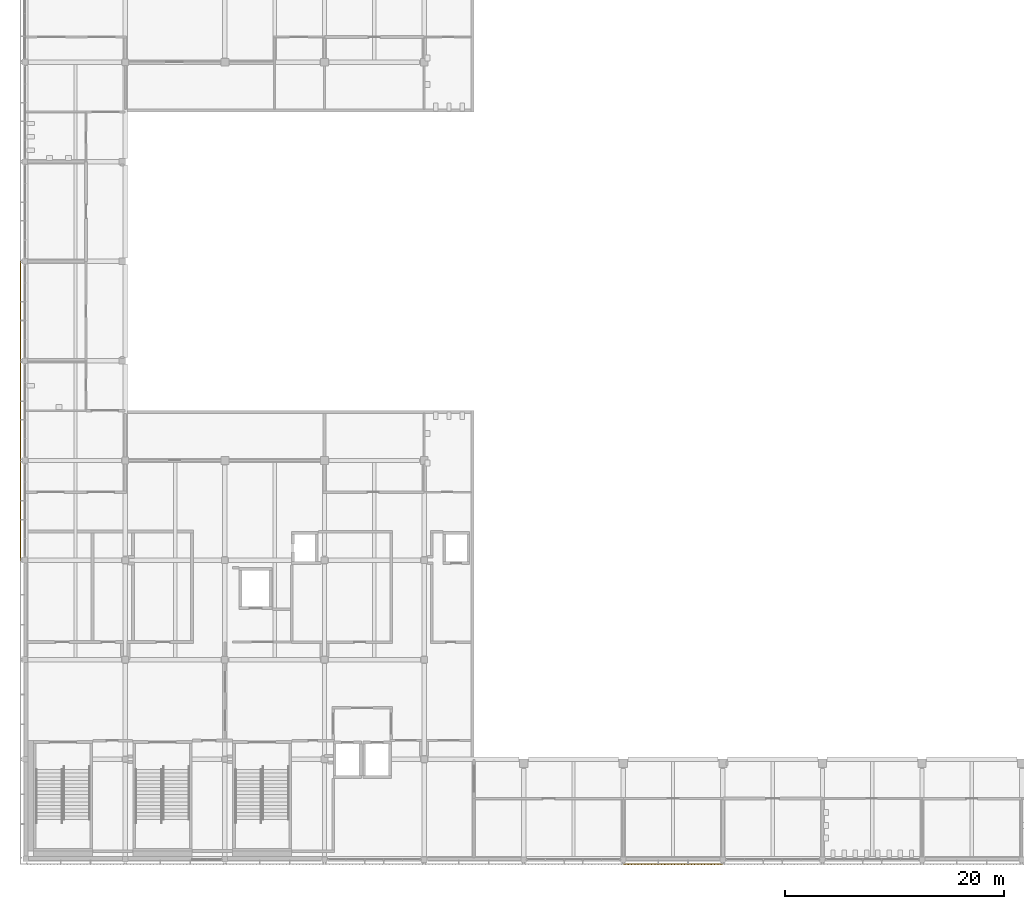
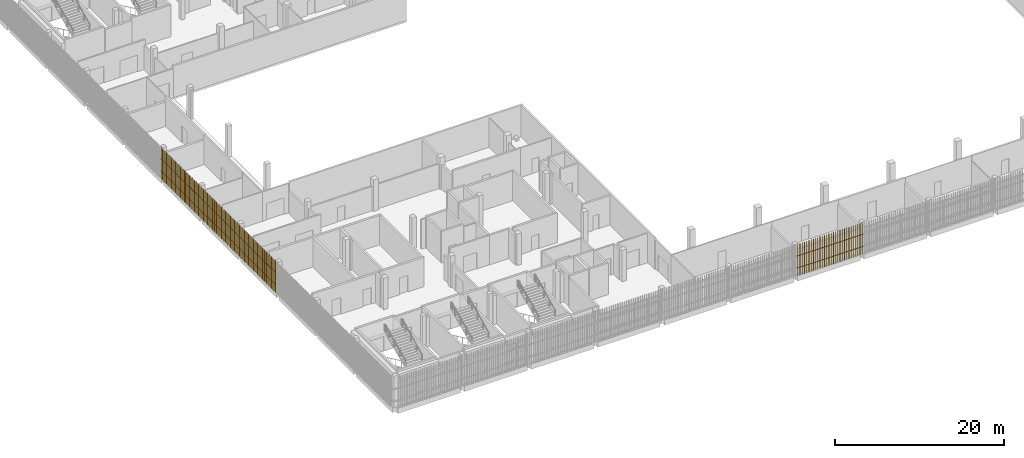
# One storey, part 106 of 124: 4 shading devices.
"""IFC4 building model written with IfcOpenShell, lengths in metres."""

from ifc_helpers import new_model, si_unit, direction, frame, origin, origin_2d, place, context, subcontext, project, spatial, rectangle, extrude, material, type_object, element, save


model = new_model("IFC4")

# Units and contexts
model_context = context("Model", 3, precision=1e-05, world=origin(), true_north=direction((0.0, 1.0)))
body_context = subcontext(model_context, "Body", "Model", "MODEL_VIEW")
ifc_project = project(units=[si_unit("LENGTHUNIT", "METRE"), si_unit("AREAUNIT", "SQUARE_METRE"), si_unit("VOLUMEUNIT", "CUBIC_METRE"), si_unit("PLANEANGLEUNIT", "RADIAN"), si_unit("MASSUNIT", "GRAM", prefix="KILO")], contexts=[model_context])

# Site, building, storey
site_placement = place(None, origin())
site = spatial("IfcSite", under=ifc_project, at=site_placement, CompositionType="ELEMENT")
building_placement = place(site_placement, origin())
building = spatial("IfcBuilding", under=site, at=building_placement, Name="Shirokan Park Arena", CompositionType="ELEMENT")
storey_placement = place(building_placement, frame((0.0, 0.0, 20.02001953125)))
storey = spatial("IfcBuildingStorey", under=building, at=storey_placement, Name="L04", CompositionType="ELEMENT", Elevation=20.02001953125)

# Shading devices
ifc_material = material(Name="Timber louvre veil (cedar)", Category="wood")
shading_device_type = type_object("IfcShadingDeviceType", Name="Timber louvre veil panel", PredefinedType="JALOUSIE", material=ifc_material)
shading_device_1_placement = place(storey_placement, origin())
element("IfcShadingDevice", 1, at=shading_device_1_placement, inside=storey, type_object=shading_device_type, Name="Timber louvre veil south bay 7 L04", PredefinedType="JALOUSIE", context=body_context, shape_type="SweptSolid", body=[
    extrude(rectangle(XDim=0.050048828125, YDim=0.080078125, at=origin_2d()), frame((54.751708984375, -0.485107421875, 0.0), z_axis=(0.0, 0.0, 1.0), x_axis=(1.0, 0.0, 0.0)), (0.0, 0.0, 1.0), 4.550048828125),
    extrude(rectangle(XDim=0.050048828125, YDim=0.080078125, at=origin_2d()), frame((55.054931640625, -0.485107421875, 0.0), z_axis=(0.0, 0.0, 1.0), x_axis=(1.0, 0.0, 0.0)), (0.0, 0.0, 1.0), 4.550048828125),
    extrude(rectangle(XDim=0.050048828125, YDim=0.080078125, at=origin_2d()), frame((55.3583984375, -0.485107421875, 0.0), z_axis=(0.0, 0.0, 1.0), x_axis=(1.0, 0.0, 0.0)), (0.0, 0.0, 1.0), 4.550048828125),
    extrude(rectangle(XDim=0.050048828125, YDim=0.080078125, at=origin_2d()), frame((55.66162109375, -0.485107421875, 0.0), z_axis=(0.0, 0.0, 1.0), x_axis=(1.0, 0.0, 0.0)), (0.0, 0.0, 1.0), 4.550048828125),
    extrude(rectangle(XDim=0.050048828125, YDim=0.080078125, at=origin_2d()), frame((55.965087890625, -0.485107421875, 0.0), z_axis=(0.0, 0.0, 1.0), x_axis=(1.0, 0.0, 0.0)), (0.0, 0.0, 1.0), 4.550048828125),
    extrude(rectangle(XDim=0.050048828125, YDim=0.080078125, at=origin_2d()), frame((56.268310546875, -0.485107421875, 0.0), z_axis=(0.0, 0.0, 1.0), x_axis=(1.0, 0.0, 0.0)), (0.0, 0.0, 1.0), 4.550048828125),
    extrude(rectangle(XDim=0.050048828125, YDim=0.080078125, at=origin_2d()), frame((56.57177734375, -0.485107421875, 0.0), z_axis=(0.0, 0.0, 1.0), x_axis=(1.0, 0.0, 0.0)), (0.0, 0.0, 1.0), 4.550048828125),
    extrude(rectangle(XDim=0.050048828125, YDim=0.080078125, at=origin_2d()), frame((56.875, -0.485107421875, 0.0), z_axis=(0.0, 0.0, 1.0), x_axis=(1.0, 0.0, 0.0)), (0.0, 0.0, 1.0), 4.550048828125),
    extrude(rectangle(XDim=0.050048828125, YDim=0.080078125, at=origin_2d()), frame((57.17822265625, -0.485107421875, 0.0), z_axis=(0.0, 0.0, 1.0), x_axis=(1.0, 0.0, 0.0)), (0.0, 0.0, 1.0), 4.550048828125),
    extrude(rectangle(XDim=0.050048828125, YDim=0.080078125, at=origin_2d()), frame((57.481689453125, -0.485107421875, 0.0), z_axis=(0.0, 0.0, 1.0), x_axis=(1.0, 0.0, 0.0)), (0.0, 0.0, 1.0), 4.550048828125),
    extrude(rectangle(XDim=0.050048828125, YDim=0.080078125, at=origin_2d()), frame((57.784912109375, -0.485107421875, 0.0), z_axis=(0.0, 0.0, 1.0), x_axis=(1.0, 0.0, 0.0)), (0.0, 0.0, 1.0), 4.550048828125),
    extrude(rectangle(XDim=0.050048828125, YDim=0.080078125, at=origin_2d()), frame((58.08837890625, -0.485107421875, 0.0), z_axis=(0.0, 0.0, 1.0), x_axis=(1.0, 0.0, 0.0)), (0.0, 0.0, 1.0), 4.550048828125),
    extrude(rectangle(XDim=0.050048828125, YDim=0.080078125, at=origin_2d()), frame((58.3916015625, -0.485107421875, 0.0), z_axis=(0.0, 0.0, 1.0), x_axis=(1.0, 0.0, 0.0)), (0.0, 0.0, 1.0), 4.550048828125),
    extrude(rectangle(XDim=0.050048828125, YDim=0.080078125, at=origin_2d()), frame((58.695068359375, -0.485107421875, 0.0), z_axis=(0.0, 0.0, 1.0), x_axis=(1.0, 0.0, 0.0)), (0.0, 0.0, 1.0), 4.550048828125),
    extrude(rectangle(XDim=0.050048828125, YDim=0.080078125, at=origin_2d()), frame((58.998291015625, -0.485107421875, 0.0), z_axis=(0.0, 0.0, 1.0), x_axis=(1.0, 0.0, 0.0)), (0.0, 0.0, 1.0), 4.550048828125),
    extrude(rectangle(XDim=0.050048828125, YDim=0.080078125, at=origin_2d()), frame((59.3017578125, -0.485107421875, 0.0), z_axis=(0.0, 0.0, 1.0), x_axis=(1.0, 0.0, 0.0)), (0.0, 0.0, 1.0), 4.550048828125),
    extrude(rectangle(XDim=0.050048828125, YDim=0.080078125, at=origin_2d()), frame((59.60498046875, -0.485107421875, 0.0), z_axis=(0.0, 0.0, 1.0), x_axis=(1.0, 0.0, 0.0)), (0.0, 0.0, 1.0), 4.550048828125),
    extrude(rectangle(XDim=0.050048828125, YDim=0.080078125, at=origin_2d()), frame((59.908447265625, -0.485107421875, 0.0), z_axis=(0.0, 0.0, 1.0), x_axis=(1.0, 0.0, 0.0)), (0.0, 0.0, 1.0), 4.550048828125),
    extrude(rectangle(XDim=0.050048828125, YDim=0.080078125, at=origin_2d()), frame((60.211669921875, -0.485107421875, 0.0), z_axis=(0.0, 0.0, 1.0), x_axis=(1.0, 0.0, 0.0)), (0.0, 0.0, 1.0), 4.550048828125),
    extrude(rectangle(XDim=0.050048828125, YDim=0.080078125, at=origin_2d()), frame((60.514892578125, -0.485107421875, 0.0), z_axis=(0.0, 0.0, 1.0), x_axis=(1.0, 0.0, 0.0)), (0.0, 0.0, 1.0), 4.550048828125),
    extrude(rectangle(XDim=0.050048828125, YDim=0.080078125, at=origin_2d()), frame((60.818359375, -0.485107421875, 0.0), z_axis=(0.0, 0.0, 1.0), x_axis=(1.0, 0.0, 0.0)), (0.0, 0.0, 1.0), 4.550048828125),
    extrude(rectangle(XDim=0.050048828125, YDim=0.080078125, at=origin_2d()), frame((61.12158203125, -0.485107421875, 0.0), z_axis=(0.0, 0.0, 1.0), x_axis=(1.0, 0.0, 0.0)), (0.0, 0.0, 1.0), 4.550048828125),
    extrude(rectangle(XDim=0.050048828125, YDim=0.080078125, at=origin_2d()), frame((61.425048828125, -0.485107421875, 0.0), z_axis=(0.0, 0.0, 1.0), x_axis=(1.0, 0.0, 0.0)), (0.0, 0.0, 1.0), 4.550048828125),
    extrude(rectangle(XDim=0.050048828125, YDim=0.080078125, at=origin_2d()), frame((61.728271484375, -0.485107421875, 0.0), z_axis=(0.0, 0.0, 1.0), x_axis=(1.0, 0.0, 0.0)), (0.0, 0.0, 1.0), 4.550048828125),
    extrude(rectangle(XDim=0.050048828125, YDim=0.080078125, at=origin_2d()), frame((62.03173828125, -0.485107421875, 0.0), z_axis=(0.0, 0.0, 1.0), x_axis=(1.0, 0.0, 0.0)), (0.0, 0.0, 1.0), 4.550048828125),
    extrude(rectangle(XDim=0.050048828125, YDim=0.080078125, at=origin_2d()), frame((62.3349609375, -0.485107421875, 0.0), z_axis=(0.0, 0.0, 1.0), x_axis=(1.0, 0.0, 0.0)), (0.0, 0.0, 1.0), 4.550048828125),
    extrude(rectangle(XDim=0.050048828125, YDim=0.080078125, at=origin_2d()), frame((62.638427734375, -0.485107421875, 0.0), z_axis=(0.0, 0.0, 1.0), x_axis=(1.0, 0.0, 0.0)), (0.0, 0.0, 1.0), 4.550048828125),
    extrude(rectangle(XDim=0.050048828125, YDim=0.080078125, at=origin_2d()), frame((62.941650390625, -0.485107421875, 0.0), z_axis=(0.0, 0.0, 1.0), x_axis=(1.0, 0.0, 0.0)), (0.0, 0.0, 1.0), 4.550048828125),
    extrude(rectangle(XDim=0.050048828125, YDim=0.080078125, at=origin_2d()), frame((63.2451171875, -0.485107421875, 0.0), z_axis=(0.0, 0.0, 1.0), x_axis=(1.0, 0.0, 0.0)), (0.0, 0.0, 1.0), 4.550048828125),
    extrude(rectangle(XDim=0.050048828125, YDim=0.080078125, at=origin_2d()), frame((63.54833984375, -0.485107421875, 0.0), z_axis=(0.0, 0.0, 1.0), x_axis=(1.0, 0.0, 0.0)), (0.0, 0.0, 1.0), 4.550048828125),
    extrude(rectangle(XDim=9.10009765625, YDim=0.050048828125, at=origin_2d()), frame((59.14990234375, -0.469970703125, 1.06005859375), z_axis=(0.0, 0.0, 1.0), x_axis=(1.0, 0.0, 0.0)), (0.0, 0.0, 1.0), 0.080078125),
    extrude(rectangle(XDim=9.10009765625, YDim=0.050048828125, at=origin_2d()), frame((59.14990234375, -0.469970703125, 2.81005859375), z_axis=(0.0, 0.0, 1.0), x_axis=(1.0, 0.0, 0.0)), (0.0, 0.0, 1.0), 0.080078125),
])
shading_device_2_placement = place(storey_placement, origin())
element("IfcShadingDevice", 2, at=shading_device_2_placement, inside=storey, type_object=shading_device_type, Name="Timber louvre veil west bay 7 L04", PredefinedType="JALOUSIE", context=body_context, shape_type="SweptSolid", body=[
    extrude(rectangle(XDim=0.050048828125, YDim=0.080078125, at=origin_2d()), frame((-0.485107421875, 54.4482421875, 0.0), z_axis=(0.0, 0.0, 1.0), x_axis=(0.0, -1.0, 0.0)), (0.0, 0.0, 1.0), 4.550048828125),
    extrude(rectangle(XDim=0.050048828125, YDim=0.080078125, at=origin_2d()), frame((-0.485107421875, 54.14501953125, 0.0), z_axis=(0.0, 0.0, 1.0), x_axis=(0.0, -1.0, 0.0)), (0.0, 0.0, 1.0), 4.550048828125),
    extrude(rectangle(XDim=0.050048828125, YDim=0.080078125, at=origin_2d()), frame((-0.485107421875, 53.841552734375, 0.0), z_axis=(0.0, 0.0, 1.0), x_axis=(0.0, -1.0, 0.0)), (0.0, 0.0, 1.0), 4.550048828125),
    extrude(rectangle(XDim=0.050048828125, YDim=0.080078125, at=origin_2d()), frame((-0.485107421875, 53.538330078125, 0.0), z_axis=(0.0, 0.0, 1.0), x_axis=(0.0, -1.0, 0.0)), (0.0, 0.0, 1.0), 4.550048828125),
    extrude(rectangle(XDim=0.050048828125, YDim=0.080078125, at=origin_2d()), frame((-0.485107421875, 53.235107421875, 0.0), z_axis=(0.0, 0.0, 1.0), x_axis=(0.0, -1.0, 0.0)), (0.0, 0.0, 1.0), 4.550048828125),
    extrude(rectangle(XDim=0.050048828125, YDim=0.080078125, at=origin_2d()), frame((-0.485107421875, 52.931640625, 0.0), z_axis=(0.0, 0.0, 1.0), x_axis=(0.0, -1.0, 0.0)), (0.0, 0.0, 1.0), 4.550048828125),
    extrude(rectangle(XDim=0.050048828125, YDim=0.080078125, at=origin_2d()), frame((-0.485107421875, 52.62841796875, 0.0), z_axis=(0.0, 0.0, 1.0), x_axis=(0.0, -1.0, 0.0)), (0.0, 0.0, 1.0), 4.550048828125),
    extrude(rectangle(XDim=0.050048828125, YDim=0.080078125, at=origin_2d()), frame((-0.485107421875, 52.324951171875, 0.0), z_axis=(0.0, 0.0, 1.0), x_axis=(0.0, -1.0, 0.0)), (0.0, 0.0, 1.0), 4.550048828125),
    extrude(rectangle(XDim=0.050048828125, YDim=0.080078125, at=origin_2d()), frame((-0.485107421875, 52.021728515625, 0.0), z_axis=(0.0, 0.0, 1.0), x_axis=(0.0, -1.0, 0.0)), (0.0, 0.0, 1.0), 4.550048828125),
    extrude(rectangle(XDim=0.050048828125, YDim=0.080078125, at=origin_2d()), frame((-0.485107421875, 51.71826171875, 0.0), z_axis=(0.0, 0.0, 1.0), x_axis=(0.0, -1.0, 0.0)), (0.0, 0.0, 1.0), 4.550048828125),
    extrude(rectangle(XDim=0.050048828125, YDim=0.080078125, at=origin_2d()), frame((-0.485107421875, 51.4150390625, 0.0), z_axis=(0.0, 0.0, 1.0), x_axis=(0.0, -1.0, 0.0)), (0.0, 0.0, 1.0), 4.550048828125),
    extrude(rectangle(XDim=0.050048828125, YDim=0.080078125, at=origin_2d()), frame((-0.485107421875, 51.111572265625, 0.0), z_axis=(0.0, 0.0, 1.0), x_axis=(0.0, -1.0, 0.0)), (0.0, 0.0, 1.0), 4.550048828125),
    extrude(rectangle(XDim=0.050048828125, YDim=0.080078125, at=origin_2d()), frame((-0.485107421875, 50.808349609375, 0.0), z_axis=(0.0, 0.0, 1.0), x_axis=(0.0, -1.0, 0.0)), (0.0, 0.0, 1.0), 4.550048828125),
    extrude(rectangle(XDim=0.050048828125, YDim=0.080078125, at=origin_2d()), frame((-0.485107421875, 50.5048828125, 0.0), z_axis=(0.0, 0.0, 1.0), x_axis=(0.0, -1.0, 0.0)), (0.0, 0.0, 1.0), 4.550048828125),
    extrude(rectangle(XDim=0.050048828125, YDim=0.080078125, at=origin_2d()), frame((-0.485107421875, 50.20166015625, 0.0), z_axis=(0.0, 0.0, 1.0), x_axis=(0.0, -1.0, 0.0)), (0.0, 0.0, 1.0), 4.550048828125),
    extrude(rectangle(XDim=0.050048828125, YDim=0.080078125, at=origin_2d()), frame((-0.485107421875, 49.8984375, 0.0), z_axis=(0.0, 0.0, 1.0), x_axis=(0.0, -1.0, 0.0)), (0.0, 0.0, 1.0), 4.550048828125),
    extrude(rectangle(XDim=0.050048828125, YDim=0.080078125, at=origin_2d()), frame((-0.485107421875, 49.594970703125, 0.0), z_axis=(0.0, 0.0, 1.0), x_axis=(0.0, -1.0, 0.0)), (0.0, 0.0, 1.0), 4.550048828125),
    extrude(rectangle(XDim=0.050048828125, YDim=0.080078125, at=origin_2d()), frame((-0.485107421875, 49.291748046875, 0.0), z_axis=(0.0, 0.0, 1.0), x_axis=(0.0, -1.0, 0.0)), (0.0, 0.0, 1.0), 4.550048828125),
    extrude(rectangle(XDim=0.050048828125, YDim=0.080078125, at=origin_2d()), frame((-0.485107421875, 48.98828125, 0.0), z_axis=(0.0, 0.0, 1.0), x_axis=(0.0, -1.0, 0.0)), (0.0, 0.0, 1.0), 4.550048828125),
    extrude(rectangle(XDim=0.050048828125, YDim=0.080078125, at=origin_2d()), frame((-0.485107421875, 48.68505859375, 0.0), z_axis=(0.0, 0.0, 1.0), x_axis=(0.0, -1.0, 0.0)), (0.0, 0.0, 1.0), 4.550048828125),
    extrude(rectangle(XDim=0.050048828125, YDim=0.080078125, at=origin_2d()), frame((-0.485107421875, 48.381591796875, 0.0), z_axis=(0.0, 0.0, 1.0), x_axis=(0.0, -1.0, 0.0)), (0.0, 0.0, 1.0), 4.550048828125),
    extrude(rectangle(XDim=0.050048828125, YDim=0.080078125, at=origin_2d()), frame((-0.485107421875, 48.078369140625, 0.0), z_axis=(0.0, 0.0, 1.0), x_axis=(0.0, -1.0, 0.0)), (0.0, 0.0, 1.0), 4.550048828125),
    extrude(rectangle(XDim=0.050048828125, YDim=0.080078125, at=origin_2d()), frame((-0.485107421875, 47.77490234375, 0.0), z_axis=(0.0, 0.0, 1.0), x_axis=(0.0, -1.0, 0.0)), (0.0, 0.0, 1.0), 4.550048828125),
    extrude(rectangle(XDim=0.050048828125, YDim=0.080078125, at=origin_2d()), frame((-0.485107421875, 47.4716796875, 0.0), z_axis=(0.0, 0.0, 1.0), x_axis=(0.0, -1.0, 0.0)), (0.0, 0.0, 1.0), 4.550048828125),
    extrude(rectangle(XDim=0.050048828125, YDim=0.080078125, at=origin_2d()), frame((-0.485107421875, 47.168212890625, 0.0), z_axis=(0.0, 0.0, 1.0), x_axis=(0.0, -1.0, 0.0)), (0.0, 0.0, 1.0), 4.550048828125),
    extrude(rectangle(XDim=0.050048828125, YDim=0.080078125, at=origin_2d()), frame((-0.485107421875, 46.864990234375, 0.0), z_axis=(0.0, 0.0, 1.0), x_axis=(0.0, -1.0, 0.0)), (0.0, 0.0, 1.0), 4.550048828125),
    extrude(rectangle(XDim=0.050048828125, YDim=0.080078125, at=origin_2d()), frame((-0.485107421875, 46.561767578125, 0.0), z_axis=(0.0, 0.0, 1.0), x_axis=(0.0, -1.0, 0.0)), (0.0, 0.0, 1.0), 4.550048828125),
    extrude(rectangle(XDim=0.050048828125, YDim=0.080078125, at=origin_2d()), frame((-0.485107421875, 46.25830078125, 0.0), z_axis=(0.0, 0.0, 1.0), x_axis=(0.0, -1.0, 0.0)), (0.0, 0.0, 1.0), 4.550048828125),
    extrude(rectangle(XDim=0.050048828125, YDim=0.080078125, at=origin_2d()), frame((-0.485107421875, 45.955078125, 0.0), z_axis=(0.0, 0.0, 1.0), x_axis=(0.0, -1.0, 0.0)), (0.0, 0.0, 1.0), 4.550048828125),
    extrude(rectangle(XDim=0.050048828125, YDim=0.080078125, at=origin_2d()), frame((-0.485107421875, 45.651611328125, 0.0), z_axis=(0.0, 0.0, 1.0), x_axis=(0.0, -1.0, 0.0)), (0.0, 0.0, 1.0), 4.550048828125),
    extrude(rectangle(XDim=9.10009765625, YDim=0.050048828125, at=origin_2d()), frame((-0.469970703125, 50.050048828125, 1.06005859375), z_axis=(0.0, 0.0, 1.0), x_axis=(0.0, -1.0, 0.0)), (0.0, 0.0, 1.0), 0.080078125),
    extrude(rectangle(XDim=9.10009765625, YDim=0.050048828125, at=origin_2d()), frame((-0.469970703125, 50.050048828125, 2.81005859375), z_axis=(0.0, 0.0, 1.0), x_axis=(0.0, -1.0, 0.0)), (0.0, 0.0, 1.0), 0.080078125),
])
shading_device_3_placement = place(storey_placement, origin())
element("IfcShadingDevice", 3, at=shading_device_3_placement, inside=storey, type_object=shading_device_type, Name="Timber louvre veil west bay 8 L04", PredefinedType="JALOUSIE", context=body_context, shape_type="SweptSolid", body=[
    extrude(rectangle(XDim=0.050048828125, YDim=0.080078125, at=origin_2d()), frame((-0.485107421875, 45.348388671875, 0.0), z_axis=(0.0, 0.0, 1.0), x_axis=(0.0, -1.0, 0.0)), (0.0, 0.0, 1.0), 4.550048828125),
    extrude(rectangle(XDim=0.050048828125, YDim=0.080078125, at=origin_2d()), frame((-0.485107421875, 45.044921875, 0.0), z_axis=(0.0, 0.0, 1.0), x_axis=(0.0, -1.0, 0.0)), (0.0, 0.0, 1.0), 4.550048828125),
    extrude(rectangle(XDim=0.050048828125, YDim=0.080078125, at=origin_2d()), frame((-0.485107421875, 44.74169921875, 0.0), z_axis=(0.0, 0.0, 1.0), x_axis=(0.0, -1.0, 0.0)), (0.0, 0.0, 1.0), 4.550048828125),
    extrude(rectangle(XDim=0.050048828125, YDim=0.080078125, at=origin_2d()), frame((-0.485107421875, 44.438232421875, 0.0), z_axis=(0.0, 0.0, 1.0), x_axis=(0.0, -1.0, 0.0)), (0.0, 0.0, 1.0), 4.550048828125),
    extrude(rectangle(XDim=0.050048828125, YDim=0.080078125, at=origin_2d()), frame((-0.485107421875, 44.135009765625, 0.0), z_axis=(0.0, 0.0, 1.0), x_axis=(0.0, -1.0, 0.0)), (0.0, 0.0, 1.0), 4.550048828125),
    extrude(rectangle(XDim=0.050048828125, YDim=0.080078125, at=origin_2d()), frame((-0.485107421875, 43.831787109375, 0.0), z_axis=(0.0, 0.0, 1.0), x_axis=(0.0, -1.0, 0.0)), (0.0, 0.0, 1.0), 4.550048828125),
    extrude(rectangle(XDim=0.050048828125, YDim=0.080078125, at=origin_2d()), frame((-0.485107421875, 43.5283203125, 0.0), z_axis=(0.0, 0.0, 1.0), x_axis=(0.0, -1.0, 0.0)), (0.0, 0.0, 1.0), 4.550048828125),
    extrude(rectangle(XDim=0.050048828125, YDim=0.080078125, at=origin_2d()), frame((-0.485107421875, 43.22509765625, 0.0), z_axis=(0.0, 0.0, 1.0), x_axis=(0.0, -1.0, 0.0)), (0.0, 0.0, 1.0), 4.550048828125),
    extrude(rectangle(XDim=0.050048828125, YDim=0.080078125, at=origin_2d()), frame((-0.485107421875, 42.921630859375, 0.0), z_axis=(0.0, 0.0, 1.0), x_axis=(0.0, -1.0, 0.0)), (0.0, 0.0, 1.0), 4.550048828125),
    extrude(rectangle(XDim=0.050048828125, YDim=0.080078125, at=origin_2d()), frame((-0.485107421875, 42.618408203125, 0.0), z_axis=(0.0, 0.0, 1.0), x_axis=(0.0, -1.0, 0.0)), (0.0, 0.0, 1.0), 4.550048828125),
    extrude(rectangle(XDim=0.050048828125, YDim=0.080078125, at=origin_2d()), frame((-0.485107421875, 42.31494140625, 0.0), z_axis=(0.0, 0.0, 1.0), x_axis=(0.0, -1.0, 0.0)), (0.0, 0.0, 1.0), 4.550048828125),
    extrude(rectangle(XDim=0.050048828125, YDim=0.080078125, at=origin_2d()), frame((-0.485107421875, 42.01171875, 0.0), z_axis=(0.0, 0.0, 1.0), x_axis=(0.0, -1.0, 0.0)), (0.0, 0.0, 1.0), 4.550048828125),
    extrude(rectangle(XDim=0.050048828125, YDim=0.080078125, at=origin_2d()), frame((-0.485107421875, 41.708251953125, 0.0), z_axis=(0.0, 0.0, 1.0), x_axis=(0.0, -1.0, 0.0)), (0.0, 0.0, 1.0), 4.550048828125),
    extrude(rectangle(XDim=0.050048828125, YDim=0.080078125, at=origin_2d()), frame((-0.485107421875, 41.405029296875, 0.0), z_axis=(0.0, 0.0, 1.0), x_axis=(0.0, -1.0, 0.0)), (0.0, 0.0, 1.0), 4.550048828125),
    extrude(rectangle(XDim=0.050048828125, YDim=0.080078125, at=origin_2d()), frame((-0.485107421875, 41.1015625, 0.0), z_axis=(0.0, 0.0, 1.0), x_axis=(0.0, -1.0, 0.0)), (0.0, 0.0, 1.0), 4.550048828125),
    extrude(rectangle(XDim=0.050048828125, YDim=0.080078125, at=origin_2d()), frame((-0.485107421875, 40.79833984375, 0.0), z_axis=(0.0, 0.0, 1.0), x_axis=(0.0, -1.0, 0.0)), (0.0, 0.0, 1.0), 4.550048828125),
    extrude(rectangle(XDim=0.050048828125, YDim=0.080078125, at=origin_2d()), frame((-0.485107421875, 40.4951171875, 0.0), z_axis=(0.0, 0.0, 1.0), x_axis=(0.0, -1.0, 0.0)), (0.0, 0.0, 1.0), 4.550048828125),
    extrude(rectangle(XDim=0.050048828125, YDim=0.080078125, at=origin_2d()), frame((-0.485107421875, 40.191650390625, 0.0), z_axis=(0.0, 0.0, 1.0), x_axis=(0.0, -1.0, 0.0)), (0.0, 0.0, 1.0), 4.550048828125),
    extrude(rectangle(XDim=0.050048828125, YDim=0.080078125, at=origin_2d()), frame((-0.485107421875, 39.888427734375, 0.0), z_axis=(0.0, 0.0, 1.0), x_axis=(0.0, -1.0, 0.0)), (0.0, 0.0, 1.0), 4.550048828125),
    extrude(rectangle(XDim=0.050048828125, YDim=0.080078125, at=origin_2d()), frame((-0.485107421875, 39.5849609375, 0.0), z_axis=(0.0, 0.0, 1.0), x_axis=(0.0, -1.0, 0.0)), (0.0, 0.0, 1.0), 4.550048828125),
    extrude(rectangle(XDim=0.050048828125, YDim=0.080078125, at=origin_2d()), frame((-0.485107421875, 39.28173828125, 0.0), z_axis=(0.0, 0.0, 1.0), x_axis=(0.0, -1.0, 0.0)), (0.0, 0.0, 1.0), 4.550048828125),
    extrude(rectangle(XDim=0.050048828125, YDim=0.080078125, at=origin_2d()), frame((-0.485107421875, 38.978271484375, 0.0), z_axis=(0.0, 0.0, 1.0), x_axis=(0.0, -1.0, 0.0)), (0.0, 0.0, 1.0), 4.550048828125),
    extrude(rectangle(XDim=0.050048828125, YDim=0.080078125, at=origin_2d()), frame((-0.485107421875, 38.675048828125, 0.0), z_axis=(0.0, 0.0, 1.0), x_axis=(0.0, -1.0, 0.0)), (0.0, 0.0, 1.0), 4.550048828125),
    extrude(rectangle(XDim=0.050048828125, YDim=0.080078125, at=origin_2d()), frame((-0.485107421875, 38.37158203125, 0.0), z_axis=(0.0, 0.0, 1.0), x_axis=(0.0, -1.0, 0.0)), (0.0, 0.0, 1.0), 4.550048828125),
    extrude(rectangle(XDim=0.050048828125, YDim=0.080078125, at=origin_2d()), frame((-0.485107421875, 38.068359375, 0.0), z_axis=(0.0, 0.0, 1.0), x_axis=(0.0, -1.0, 0.0)), (0.0, 0.0, 1.0), 4.550048828125),
    extrude(rectangle(XDim=0.050048828125, YDim=0.080078125, at=origin_2d()), frame((-0.485107421875, 37.764892578125, 0.0), z_axis=(0.0, 0.0, 1.0), x_axis=(0.0, -1.0, 0.0)), (0.0, 0.0, 1.0), 4.550048828125),
    extrude(rectangle(XDim=0.050048828125, YDim=0.080078125, at=origin_2d()), frame((-0.485107421875, 37.461669921875, 0.0), z_axis=(0.0, 0.0, 1.0), x_axis=(0.0, -1.0, 0.0)), (0.0, 0.0, 1.0), 4.550048828125),
    extrude(rectangle(XDim=0.050048828125, YDim=0.080078125, at=origin_2d()), frame((-0.485107421875, 37.158447265625, 0.0), z_axis=(0.0, 0.0, 1.0), x_axis=(0.0, -1.0, 0.0)), (0.0, 0.0, 1.0), 4.550048828125),
    extrude(rectangle(XDim=0.050048828125, YDim=0.080078125, at=origin_2d()), frame((-0.485107421875, 36.85498046875, 0.0), z_axis=(0.0, 0.0, 1.0), x_axis=(0.0, -1.0, 0.0)), (0.0, 0.0, 1.0), 4.550048828125),
    extrude(rectangle(XDim=0.050048828125, YDim=0.080078125, at=origin_2d()), frame((-0.485107421875, 36.5517578125, 0.0), z_axis=(0.0, 0.0, 1.0), x_axis=(0.0, -1.0, 0.0)), (0.0, 0.0, 1.0), 4.550048828125),
    extrude(rectangle(XDim=9.10009765625, YDim=0.050048828125, at=origin_2d()), frame((-0.469970703125, 40.949951171875, 1.06005859375), z_axis=(0.0, 0.0, 1.0), x_axis=(0.0, -1.0, 0.0)), (0.0, 0.0, 1.0), 0.080078125),
    extrude(rectangle(XDim=9.10009765625, YDim=0.050048828125, at=origin_2d()), frame((-0.469970703125, 40.949951171875, 2.81005859375), z_axis=(0.0, 0.0, 1.0), x_axis=(0.0, -1.0, 0.0)), (0.0, 0.0, 1.0), 0.080078125),
])
shading_device_4_placement = place(storey_placement, origin())
element("IfcShadingDevice", 4, at=shading_device_4_placement, inside=storey, type_object=shading_device_type, Name="Timber louvre veil west bay 9 L04", PredefinedType="JALOUSIE", context=body_context, shape_type="SweptSolid", body=[
    extrude(rectangle(XDim=0.050048828125, YDim=0.080078125, at=origin_2d()), frame((-0.485107421875, 36.248291015625, 0.0), z_axis=(0.0, 0.0, 1.0), x_axis=(0.0, -1.0, 0.0)), (0.0, 0.0, 1.0), 4.550048828125),
    extrude(rectangle(XDim=0.050048828125, YDim=0.080078125, at=origin_2d()), frame((-0.485107421875, 35.945068359375, 0.0), z_axis=(0.0, 0.0, 1.0), x_axis=(0.0, -1.0, 0.0)), (0.0, 0.0, 1.0), 4.550048828125),
    extrude(rectangle(XDim=0.050048828125, YDim=0.080078125, at=origin_2d()), frame((-0.485107421875, 35.6416015625, 0.0), z_axis=(0.0, 0.0, 1.0), x_axis=(0.0, -1.0, 0.0)), (0.0, 0.0, 1.0), 4.550048828125),
    extrude(rectangle(XDim=0.050048828125, YDim=0.080078125, at=origin_2d()), frame((-0.485107421875, 35.33837890625, 0.0), z_axis=(0.0, 0.0, 1.0), x_axis=(0.0, -1.0, 0.0)), (0.0, 0.0, 1.0), 4.550048828125),
    extrude(rectangle(XDim=0.050048828125, YDim=0.080078125, at=origin_2d()), frame((-0.485107421875, 35.034912109375, 0.0), z_axis=(0.0, 0.0, 1.0), x_axis=(0.0, -1.0, 0.0)), (0.0, 0.0, 1.0), 4.550048828125),
    extrude(rectangle(XDim=0.050048828125, YDim=0.080078125, at=origin_2d()), frame((-0.485107421875, 34.731689453125, 0.0), z_axis=(0.0, 0.0, 1.0), x_axis=(0.0, -1.0, 0.0)), (0.0, 0.0, 1.0), 4.550048828125),
    extrude(rectangle(XDim=0.050048828125, YDim=0.080078125, at=origin_2d()), frame((-0.485107421875, 34.42822265625, 0.0), z_axis=(0.0, 0.0, 1.0), x_axis=(0.0, -1.0, 0.0)), (0.0, 0.0, 1.0), 4.550048828125),
    extrude(rectangle(XDim=0.050048828125, YDim=0.080078125, at=origin_2d()), frame((-0.485107421875, 34.125, 0.0), z_axis=(0.0, 0.0, 1.0), x_axis=(0.0, -1.0, 0.0)), (0.0, 0.0, 1.0), 4.550048828125),
    extrude(rectangle(XDim=0.050048828125, YDim=0.080078125, at=origin_2d()), frame((-0.485107421875, 33.82177734375, 0.0), z_axis=(0.0, 0.0, 1.0), x_axis=(0.0, -1.0, 0.0)), (0.0, 0.0, 1.0), 4.550048828125),
    extrude(rectangle(XDim=0.050048828125, YDim=0.080078125, at=origin_2d()), frame((-0.485107421875, 33.518310546875, 0.0), z_axis=(0.0, 0.0, 1.0), x_axis=(0.0, -1.0, 0.0)), (0.0, 0.0, 1.0), 4.550048828125),
    extrude(rectangle(XDim=0.050048828125, YDim=0.080078125, at=origin_2d()), frame((-0.485107421875, 33.215087890625, 0.0), z_axis=(0.0, 0.0, 1.0), x_axis=(0.0, -1.0, 0.0)), (0.0, 0.0, 1.0), 4.550048828125),
    extrude(rectangle(XDim=0.050048828125, YDim=0.080078125, at=origin_2d()), frame((-0.485107421875, 32.91162109375, 0.0), z_axis=(0.0, 0.0, 1.0), x_axis=(0.0, -1.0, 0.0)), (0.0, 0.0, 1.0), 4.550048828125),
    extrude(rectangle(XDim=0.050048828125, YDim=0.080078125, at=origin_2d()), frame((-0.485107421875, 32.6083984375, 0.0), z_axis=(0.0, 0.0, 1.0), x_axis=(0.0, -1.0, 0.0)), (0.0, 0.0, 1.0), 4.550048828125),
    extrude(rectangle(XDim=0.050048828125, YDim=0.080078125, at=origin_2d()), frame((-0.485107421875, 32.304931640625, 0.0), z_axis=(0.0, 0.0, 1.0), x_axis=(0.0, -1.0, 0.0)), (0.0, 0.0, 1.0), 4.550048828125),
    extrude(rectangle(XDim=0.050048828125, YDim=0.080078125, at=origin_2d()), frame((-0.485107421875, 32.001708984375, 0.0), z_axis=(0.0, 0.0, 1.0), x_axis=(0.0, -1.0, 0.0)), (0.0, 0.0, 1.0), 4.550048828125),
    extrude(rectangle(XDim=0.050048828125, YDim=0.080078125, at=origin_2d()), frame((-0.485107421875, 31.6982421875, 0.0), z_axis=(0.0, 0.0, 1.0), x_axis=(0.0, -1.0, 0.0)), (0.0, 0.0, 1.0), 4.550048828125),
    extrude(rectangle(XDim=0.050048828125, YDim=0.080078125, at=origin_2d()), frame((-0.485107421875, 31.39501953125, 0.0), z_axis=(0.0, 0.0, 1.0), x_axis=(0.0, -1.0, 0.0)), (0.0, 0.0, 1.0), 4.550048828125),
    extrude(rectangle(XDim=0.050048828125, YDim=0.080078125, at=origin_2d()), frame((-0.485107421875, 31.091552734375, 0.0), z_axis=(0.0, 0.0, 1.0), x_axis=(0.0, -1.0, 0.0)), (0.0, 0.0, 1.0), 4.550048828125),
    extrude(rectangle(XDim=0.050048828125, YDim=0.080078125, at=origin_2d()), frame((-0.485107421875, 30.788330078125, 0.0), z_axis=(0.0, 0.0, 1.0), x_axis=(0.0, -1.0, 0.0)), (0.0, 0.0, 1.0), 4.550048828125),
    extrude(rectangle(XDim=0.050048828125, YDim=0.080078125, at=origin_2d()), frame((-0.485107421875, 30.485107421875, 0.0), z_axis=(0.0, 0.0, 1.0), x_axis=(0.0, -1.0, 0.0)), (0.0, 0.0, 1.0), 4.550048828125),
    extrude(rectangle(XDim=0.050048828125, YDim=0.080078125, at=origin_2d()), frame((-0.485107421875, 30.181640625, 0.0), z_axis=(0.0, 0.0, 1.0), x_axis=(0.0, -1.0, 0.0)), (0.0, 0.0, 1.0), 4.550048828125),
    extrude(rectangle(XDim=0.050048828125, YDim=0.080078125, at=origin_2d()), frame((-0.485107421875, 29.87841796875, 0.0), z_axis=(0.0, 0.0, 1.0), x_axis=(0.0, -1.0, 0.0)), (0.0, 0.0, 1.0), 4.550048828125),
    extrude(rectangle(XDim=0.050048828125, YDim=0.080078125, at=origin_2d()), frame((-0.485107421875, 29.574951171875, 0.0), z_axis=(0.0, 0.0, 1.0), x_axis=(0.0, -1.0, 0.0)), (0.0, 0.0, 1.0), 4.550048828125),
    extrude(rectangle(XDim=0.050048828125, YDim=0.080078125, at=origin_2d()), frame((-0.485107421875, 29.271728515625, 0.0), z_axis=(0.0, 0.0, 1.0), x_axis=(0.0, -1.0, 0.0)), (0.0, 0.0, 1.0), 4.550048828125),
    extrude(rectangle(XDim=0.050048828125, YDim=0.080078125, at=origin_2d()), frame((-0.485107421875, 28.96826171875, 0.0), z_axis=(0.0, 0.0, 1.0), x_axis=(0.0, -1.0, 0.0)), (0.0, 0.0, 1.0), 4.550048828125),
    extrude(rectangle(XDim=0.050048828125, YDim=0.080078125, at=origin_2d()), frame((-0.485107421875, 28.6650390625, 0.0), z_axis=(0.0, 0.0, 1.0), x_axis=(0.0, -1.0, 0.0)), (0.0, 0.0, 1.0), 4.550048828125),
    extrude(rectangle(XDim=0.050048828125, YDim=0.080078125, at=origin_2d()), frame((-0.485107421875, 28.361572265625, 0.0), z_axis=(0.0, 0.0, 1.0), x_axis=(0.0, -1.0, 0.0)), (0.0, 0.0, 1.0), 4.550048828125),
    extrude(rectangle(XDim=0.050048828125, YDim=0.080078125, at=origin_2d()), frame((-0.485107421875, 28.058349609375, 0.0), z_axis=(0.0, 0.0, 1.0), x_axis=(0.0, -1.0, 0.0)), (0.0, 0.0, 1.0), 4.550048828125),
    extrude(rectangle(XDim=0.050048828125, YDim=0.080078125, at=origin_2d()), frame((-0.485107421875, 27.7548828125, 0.0), z_axis=(0.0, 0.0, 1.0), x_axis=(0.0, -1.0, 0.0)), (0.0, 0.0, 1.0), 4.550048828125),
    extrude(rectangle(XDim=0.050048828125, YDim=0.080078125, at=origin_2d()), frame((-0.485107421875, 27.45166015625, 0.0), z_axis=(0.0, 0.0, 1.0), x_axis=(0.0, -1.0, 0.0)), (0.0, 0.0, 1.0), 4.550048828125),
    extrude(rectangle(XDim=9.10009765625, YDim=0.050048828125, at=origin_2d()), frame((-0.469970703125, 31.85009765625, 1.06005859375), z_axis=(0.0, 0.0, 1.0), x_axis=(0.0, -1.0, 0.0)), (0.0, 0.0, 1.0), 0.080078125),
    extrude(rectangle(XDim=9.10009765625, YDim=0.050048828125, at=origin_2d()), frame((-0.469970703125, 31.85009765625, 2.81005859375), z_axis=(0.0, 0.0, 1.0), x_axis=(0.0, -1.0, 0.0)), (0.0, 0.0, 1.0), 0.080078125),
])

save(model, "model.ifc")
